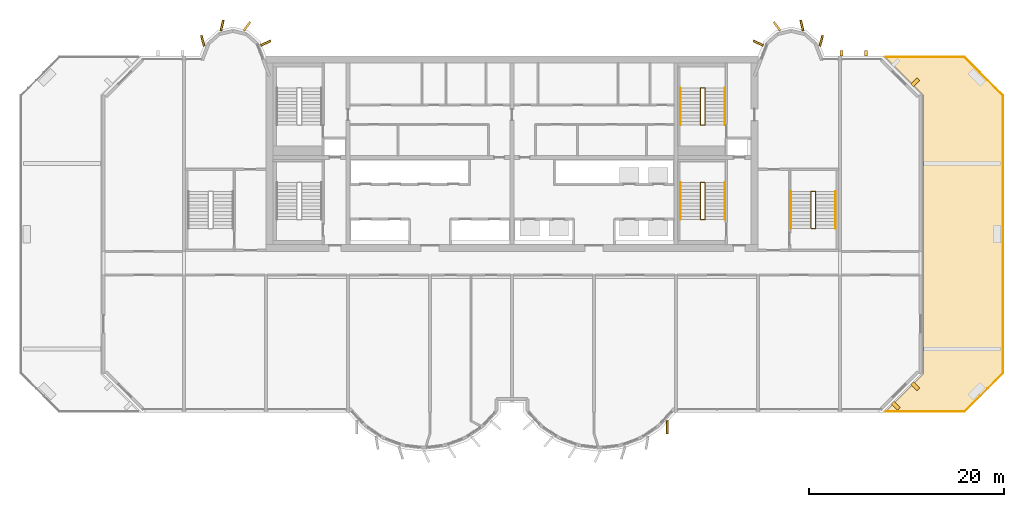
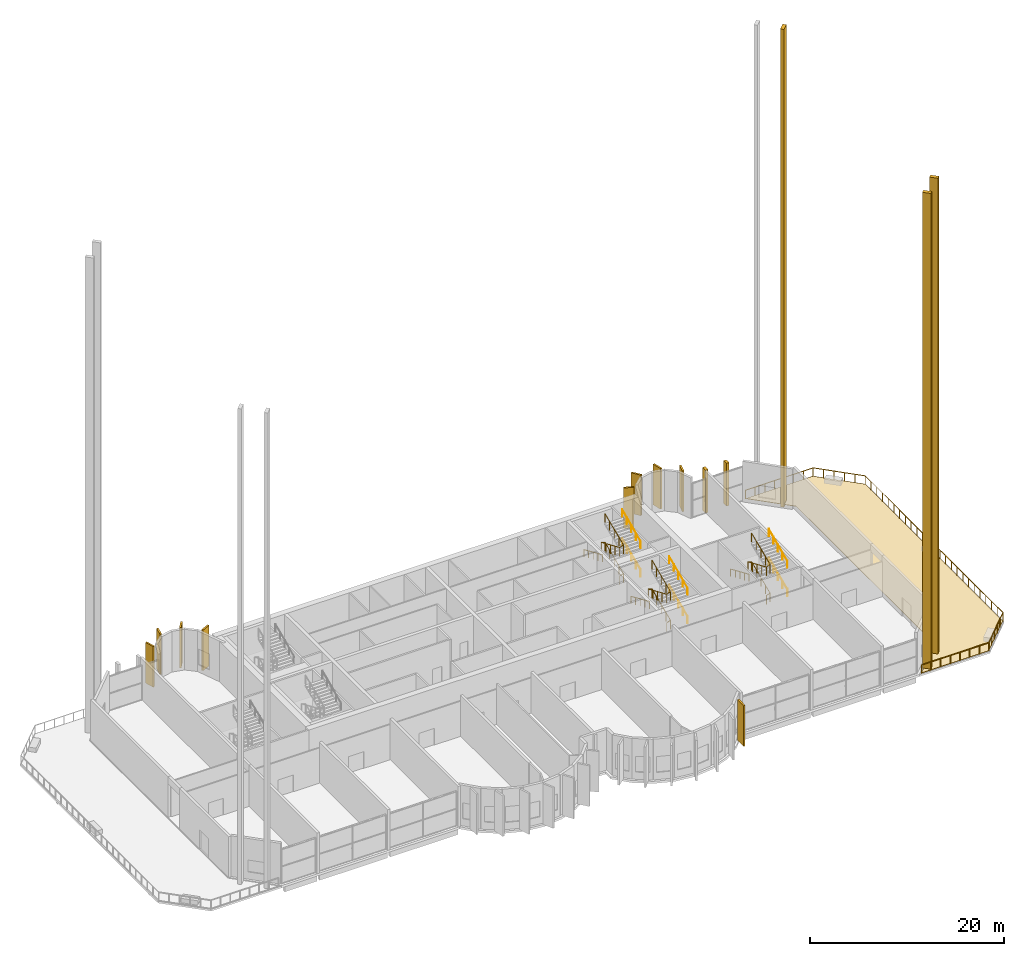
# One storey, part 17 of 19: 15 coverings, 13 railings.
"""IFC4 building model written with IfcOpenShell, lengths in metres."""

from ifc_helpers import new_model, si_unit, direction, frame, origin, origin_2d, place, context, subcontext, project, spatial, polyline, rectangle, circle, outline, extrude, source, transform, mapped, material, layer, layer_set, material_profile, profile_set, type_object, element, save


model = new_model("IFC4")

# Units and contexts
model_context = context("Model", 3, precision=1e-05, world=origin(), true_north=direction((0.0, 1.0)))
body_context = subcontext(model_context, "Body", "Model", "MODEL_VIEW")
ifc_project = project(units=[si_unit("LENGTHUNIT", "METRE"), si_unit("AREAUNIT", "SQUARE_METRE"), si_unit("VOLUMEUNIT", "CUBIC_METRE"), si_unit("PLANEANGLEUNIT", "RADIAN"), si_unit("MASSUNIT", "GRAM", prefix="KILO")], contexts=[model_context])

# Site, building, storey
site_placement = place(None, origin())
site = spatial("IfcSite", under=ifc_project, at=site_placement, CompositionType="ELEMENT")
building_placement = place(site_placement, origin())
building = spatial("IfcBuilding", under=site, at=building_placement, Name="Vanashikhar Sky Hotel", CompositionType="ELEMENT")
storey_placement = place(building_placement, frame((0.0, 0.0, 146.199951171875)))
storey = spatial("IfcBuildingStorey", under=building, at=storey_placement, Name="L35", CompositionType="ELEMENT", Elevation=146.199951171875)

# Coverings
ifc_material_1 = material(Name="Concrete M60 dark", Category="concrete")
ifc_material_profile_1 = material_profile(ifc_material_1, rectangle(XDim=1.10009765625, YDim=0.199951171875, at=origin_2d()))
ifc_profile_set_1 = profile_set([ifc_material_profile_1], Name="Rear lobe fin 1100 x 200")
covering_type_1 = type_object("IfcCoveringType", Name="Rear lobe fin 1100 x 200", PredefinedType="CLADDING", material=ifc_profile_set_1)
shared_shape_1 = source(origin(), body_context, "Body", "SweptSolid", [
    extrude(rectangle(XDim=1.10009765625, YDim=0.199951171875, at=origin_2d()), origin(), (0.0, 0.0, 1.0), 5.1201171875),
])
for number, where, z_axis, x_axis, name in (
    (1, (18.720703125, 43.580078125, 0.0), (0.0, 0.0, 1.0), (-0.262711264409, 0.964874495234, 0.0), "Fin R1-1"),
    (2, (20.710205078125, 45.1455078125, 0.0), (0.0, 0.0, 1.0), (0.224644935864, 0.974440687159, 0.0), "Fin R1-2"),
    (3, (23.261962890625, 45.06640625, 0.0), (0.0, 0.0, 1.0), (0.602065892195, 0.798446404874, 0.0), "Fin R1-3"),
    (4, (25.169677734375, 43.33447265625, 0.0), (0.0, 0.0, 1.0), (0.908004291068, 0.418960866193, 0.0), "Fin R1-4"),
    (5, (75.63037109375, 43.33447265625, 0.0), (0.0, 0.0, 1.0), (-0.908004291068, 0.418960866193, 0.0), "Fin R2-1"),
    (6, (77.5380859375, 45.06640625, 0.0), (0.0, 0.0, 1.0), (-0.602065892195, 0.798446404874, 0.0), "Fin R2-2"),
    (7, (80.08984375, 45.1455078125, 0.0), (0.0, 0.0, 1.0), (-0.224644935864, 0.974440687159, 0.0), "Fin R2-3"),
    (8, (82.0791015625, 43.580078125, 0.0), (0.0, 0.0, 1.0), (0.262711264409, 0.964874495234, 0.0), "Fin R2-4"),
):
    element("IfcCovering", number, at=place(storey_placement, frame(where, z_axis=z_axis, x_axis=x_axis)), inside=storey, type_object=covering_type_1, Name=name, PredefinedType="CLADDING", context=body_context, shape_type="MappedRepresentation", body=[
        mapped(shared_shape_1, transform((0.0, 0.0, 0.0), scale=1.0)),
    ])
ifc_material_profile_2 = material_profile(ifc_material_1, rectangle(XDim=1.300048828125, YDim=0.199951171875, at=origin_2d()))
ifc_profile_set_2 = profile_set([ifc_material_profile_2], Name="Fin 1300 x 200")
covering_type_2 = type_object("IfcCoveringType", Name="Fin 1300 x 200", PredefinedType="CLADDING", material=ifc_profile_set_2)
shared_shape_2 = source(origin(), body_context, "Body", "SweptSolid", [
    extrude(rectangle(XDim=1.300048828125, YDim=0.199951171875, at=origin_2d()), origin(), (0.0, 0.0, 1.0), 5.1201171875),
])
covering_1_placement = place(storey_placement, frame((66.317626953125, 3.992919921875, 0.0), z_axis=(0.0, 0.0, 1.0), x_axis=(-0.011588726826, -0.999932848451, 0.0)))
element("IfcCovering", 9, at=covering_1_placement, inside=storey, type_object=covering_type_2, Name="Fin F2-7", PredefinedType="CLADDING", context=body_context, shape_type="MappedRepresentation", body=[
    mapped(shared_shape_2, transform((0.0, 0.0, 0.0), scale=1.0)),
])

# Railing
ifc_material_2 = material(Name="Stainless steel 316", Category="steel")
railing_type_1 = type_object("IfcRailingType", Name="Terrace guard 1100", PredefinedType="GUARDRAIL", material=ifc_material_2)
shared_shape_3 = source(origin(), body_context, "Body", "SweptSolid", [
    extrude(circle(Radius=0.02392578125, at=origin_2d()), frame((0.0, 0.0, 1.076171875), z_axis=(1.0, 0.0, 0.0), x_axis=(0.0, 1.0, 0.0)), (0.0, 0.0, 1.0), 8.0576171875),
    extrude(circle(Radius=0.02392578125, at=origin_2d()), frame((8.0576171875, 0.0, 1.076171875), z_axis=(0.707106781187, -0.707106781187, 0.0), x_axis=(0.707106781187, 0.707106781187, 0.0)), (0.0, 0.0, 1.0), 5.572509765625),
    extrude(circle(Radius=0.02392578125, at=origin_2d()), frame((11.998046875, -3.9404296875, 1.076171875), z_axis=(0.0, -1.0, 0.0), x_axis=(1.0, 0.0, 0.0)), (0.0, 0.0, 1.0), 28.4150390625),
    extrude(circle(Radius=0.02392578125, at=origin_2d()), frame((11.998046875, -32.35546875, 1.076171875), z_axis=(-0.707106781187, -0.707106781187, 0.0), x_axis=(0.707106781187, -0.707106781187, 0.0)), (0.0, 0.0, 1.0), 5.572509765625),
    extrude(circle(Radius=0.02392578125, at=origin_2d()), frame((8.0576171875, -36.2958984375, 1.076171875), z_axis=(-1.0, 0.0, 0.0), x_axis=(0.0, -1.0, 0.0)), (0.0, 0.0, 1.0), 8.0576171875),
    extrude(circle(Radius=0.02099609375, at=origin_2d()), origin(), (0.0, 0.0, 1.0), 1.052001953125),
    extrude(circle(Radius=0.02099609375, at=origin_2d()), frame((1.151123046875, 0.0, 0.0)), (0.0, 0.0, 1.0), 1.052001953125),
    extrude(circle(Radius=0.02099609375, at=origin_2d()), frame((2.30224609375, 0.0, 0.0)), (0.0, 0.0, 1.0), 1.052001953125),
    extrude(circle(Radius=0.02099609375, at=origin_2d()), frame((3.453369140625, 0.0, 0.0)), (0.0, 0.0, 1.0), 1.052001953125),
    extrude(circle(Radius=0.02099609375, at=origin_2d()), frame((4.604248046875, 0.0, 0.0)), (0.0, 0.0, 1.0), 1.052001953125),
    extrude(circle(Radius=0.02099609375, at=origin_2d()), frame((5.75537109375, 0.0, 0.0)), (0.0, 0.0, 1.0), 1.052001953125),
    extrude(circle(Radius=0.02099609375, at=origin_2d()), frame((6.906494140625, 0.0, 0.0)), (0.0, 0.0, 1.0), 1.052001953125),
    extrude(circle(Radius=0.02099609375, at=origin_2d()), frame((8.0576171875, 0.0, 0.0)), (0.0, 0.0, 1.0), 1.052001953125),
    extrude(circle(Radius=0.02099609375, at=origin_2d()), frame((8.845703125, -0.7880859375, 0.0)), (0.0, 0.0, 1.0), 1.052001953125),
    extrude(circle(Radius=0.02099609375, at=origin_2d()), frame((9.6337890625, -1.576171875, 0.0)), (0.0, 0.0, 1.0), 1.052001953125),
    extrude(circle(Radius=0.02099609375, at=origin_2d()), frame((10.421875, -2.3642578125, 0.0)), (0.0, 0.0, 1.0), 1.052001953125),
    extrude(circle(Radius=0.02099609375, at=origin_2d()), frame((11.2099609375, -3.15234375, 0.0)), (0.0, 0.0, 1.0), 1.052001953125),
    extrude(circle(Radius=0.02099609375, at=origin_2d()), frame((11.998046875, -3.9404296875, 0.0)), (0.0, 0.0, 1.0), 1.052001953125),
    extrude(circle(Radius=0.02099609375, at=origin_2d()), frame((11.998046875, -5.12451171875, 0.0)), (0.0, 0.0, 1.0), 1.052001953125),
    extrude(circle(Radius=0.02099609375, at=origin_2d()), frame((11.998046875, -6.308349609375, 0.0)), (0.0, 0.0, 1.0), 1.052001953125),
    extrude(circle(Radius=0.02099609375, at=origin_2d()), frame((11.998046875, -7.4921875, 0.0)), (0.0, 0.0, 1.0), 1.052001953125),
    extrude(circle(Radius=0.02099609375, at=origin_2d()), frame((11.998046875, -8.67626953125, 0.0)), (0.0, 0.0, 1.0), 1.052001953125),
    extrude(circle(Radius=0.02099609375, at=origin_2d()), frame((11.998046875, -9.8603515625, 0.0)), (0.0, 0.0, 1.0), 1.052001953125),
    extrude(circle(Radius=0.02099609375, at=origin_2d()), frame((11.998046875, -11.044189453125, 0.0)), (0.0, 0.0, 1.0), 1.052001953125),
    extrude(circle(Radius=0.02099609375, at=origin_2d()), frame((11.998046875, -12.22802734375, 0.0)), (0.0, 0.0, 1.0), 1.052001953125),
    extrude(circle(Radius=0.02099609375, at=origin_2d()), frame((11.998046875, -13.412109375, 0.0)), (0.0, 0.0, 1.0), 1.052001953125),
    extrude(circle(Radius=0.02099609375, at=origin_2d()), frame((11.998046875, -14.59619140625, 0.0)), (0.0, 0.0, 1.0), 1.052001953125),
    extrude(circle(Radius=0.02099609375, at=origin_2d()), frame((11.998046875, -15.780029296875, 0.0)), (0.0, 0.0, 1.0), 1.052001953125),
    extrude(circle(Radius=0.02099609375, at=origin_2d()), frame((11.998046875, -16.9638671875, 0.0)), (0.0, 0.0, 1.0), 1.052001953125),
    extrude(circle(Radius=0.02099609375, at=origin_2d()), frame((11.998046875, -18.14794921875, 0.0)), (0.0, 0.0, 1.0), 1.052001953125),
    extrude(circle(Radius=0.02099609375, at=origin_2d()), frame((11.998046875, -19.33203125, 0.0)), (0.0, 0.0, 1.0), 1.052001953125),
    extrude(circle(Radius=0.02099609375, at=origin_2d()), frame((11.998046875, -20.515869140625, 0.0)), (0.0, 0.0, 1.0), 1.052001953125),
    extrude(circle(Radius=0.02099609375, at=origin_2d()), frame((11.998046875, -21.69970703125, 0.0)), (0.0, 0.0, 1.0), 1.052001953125),
    extrude(circle(Radius=0.02099609375, at=origin_2d()), frame((11.998046875, -22.8837890625, 0.0)), (0.0, 0.0, 1.0), 1.052001953125),
    extrude(circle(Radius=0.02099609375, at=origin_2d()), frame((11.998046875, -24.06787109375, 0.0)), (0.0, 0.0, 1.0), 1.052001953125),
    extrude(circle(Radius=0.02099609375, at=origin_2d()), frame((11.998046875, -25.251708984375, 0.0)), (0.0, 0.0, 1.0), 1.052001953125),
    extrude(circle(Radius=0.02099609375, at=origin_2d()), frame((11.998046875, -26.435546875, 0.0)), (0.0, 0.0, 1.0), 1.052001953125),
    extrude(circle(Radius=0.02099609375, at=origin_2d()), frame((11.998046875, -27.61962890625, 0.0)), (0.0, 0.0, 1.0), 1.052001953125),
    extrude(circle(Radius=0.02099609375, at=origin_2d()), frame((11.998046875, -28.8037109375, 0.0)), (0.0, 0.0, 1.0), 1.052001953125),
    extrude(circle(Radius=0.02099609375, at=origin_2d()), frame((11.998046875, -29.987548828125, 0.0)), (0.0, 0.0, 1.0), 1.052001953125),
    extrude(circle(Radius=0.02099609375, at=origin_2d()), frame((11.998046875, -31.17138671875, 0.0)), (0.0, 0.0, 1.0), 1.052001953125),
    extrude(circle(Radius=0.02099609375, at=origin_2d()), frame((11.998046875, -32.35546875, 0.0)), (0.0, 0.0, 1.0), 1.052001953125),
    extrude(circle(Radius=0.02099609375, at=origin_2d()), frame((11.2099609375, -33.1435546875, 0.0)), (0.0, 0.0, 1.0), 1.052001953125),
    extrude(circle(Radius=0.02099609375, at=origin_2d()), frame((10.421875, -33.931640625, 0.0)), (0.0, 0.0, 1.0), 1.052001953125),
    extrude(circle(Radius=0.02099609375, at=origin_2d()), frame((9.6337890625, -34.7197265625, 0.0)), (0.0, 0.0, 1.0), 1.052001953125),
    extrude(circle(Radius=0.02099609375, at=origin_2d()), frame((8.845703125, -35.5078125, 0.0)), (0.0, 0.0, 1.0), 1.052001953125),
    extrude(circle(Radius=0.02099609375, at=origin_2d()), frame((8.0576171875, -36.2958984375, 0.0)), (0.0, 0.0, 1.0), 1.052001953125),
    extrude(circle(Radius=0.02099609375, at=origin_2d()), frame((6.906494140625, -36.2958984375, 0.0)), (0.0, 0.0, 1.0), 1.052001953125),
    extrude(circle(Radius=0.02099609375, at=origin_2d()), frame((5.75537109375, -36.2958984375, 0.0)), (0.0, 0.0, 1.0), 1.052001953125),
    extrude(circle(Radius=0.02099609375, at=origin_2d()), frame((4.604248046875, -36.2958984375, 0.0)), (0.0, 0.0, 1.0), 1.052001953125),
    extrude(circle(Radius=0.02099609375, at=origin_2d()), frame((3.453369140625, -36.2958984375, 0.0)), (0.0, 0.0, 1.0), 1.052001953125),
    extrude(circle(Radius=0.02099609375, at=origin_2d()), frame((2.30224609375, -36.2958984375, 0.0)), (0.0, 0.0, 1.0), 1.052001953125),
    extrude(circle(Radius=0.02099609375, at=origin_2d()), frame((1.151123046875, -36.2958984375, 0.0)), (0.0, 0.0, 1.0), 1.052001953125),
    extrude(circle(Radius=0.02099609375, at=origin_2d()), frame((0.0, -36.2958984375, 0.0)), (0.0, 0.0, 1.0), 1.052001953125),
])
railing_1_placement = place(storey_placement, frame((88.699951171875, 41.89794921875, -0.050048828125)))
element("IfcRailing", 10, at=railing_1_placement, inside=storey, type_object=railing_type_1, Name="Terrace guard", PredefinedType="GUARDRAIL", context=body_context, shape_type="MappedRepresentation", body=[
    mapped(shared_shape_3, transform((0.0, 0.0, 0.0), scale=1.0)),
])

# Coverings
ifc_material_profile_3 = material_profile(ifc_material_1, rectangle(XDim=0.60009765625, YDim=0.300048828125, at=origin_2d()))
ifc_profile_set_3 = profile_set([ifc_material_profile_3], Name="Rear rib 600 x 300")
covering_type_3 = type_object("IfcCoveringType", Name="Rear rib 600 x 300", PredefinedType="CLADDING", material=ifc_profile_set_3)
shared_shape_4 = source(origin(), body_context, "Body", "SweptSolid", [
    extrude(rectangle(XDim=0.60009765625, YDim=0.300048828125, at=origin_2d()), origin(), (0.0, 0.0, 1.0), 5.400146484375),
])
for number, where, z_axis, x_axis, name in (
    (11, (84.14990234375, 42.300048828125, -0.280029296875), (0.0, 0.0, 1.0), (0.0, 1.0, 0.0), "Rear rib"),
    (12, (86.64990234375, 42.300048828125, -0.280029296875), (0.0, 0.0, 1.0), (0.0, 1.0, 0.0), "Rear rib"),
):
    element("IfcCovering", number, at=place(storey_placement, frame(where, z_axis=z_axis, x_axis=x_axis)), inside=storey, type_object=covering_type_3, Name=name, PredefinedType="CLADDING", context=body_context, shape_type="MappedRepresentation", body=[
        mapped(shared_shape_4, transform((0.0, 0.0, 0.0), scale=1.0)),
    ])
ifc_material_profile_4 = material_profile(ifc_material_1, rectangle(XDim=0.89990234375, YDim=0.39990234375, at=origin_2d()))
ifc_profile_set_4 = profile_set([ifc_material_profile_4], Name="Chamfer fin 900 x 400")
covering_type_4 = type_object("IfcCoveringType", Name="Chamfer fin 900 x 400", PredefinedType="CLADDING", material=ifc_profile_set_4)
shared_shape_5 = source(origin(), body_context, "Body", "SweptSolid", [
    extrude(rectangle(XDim=0.89990234375, YDim=0.39990234375, at=origin_2d()), origin(), (0.0, 0.0, 1.0), 60.2001953125),
])
for number, where, z_axis, x_axis, name in (
    (13, (89.71826171875, 6.181884765625, -0.280029296875), (0.0, 0.0, 1.0), (0.707106781187, -0.707106781187, 0.0), "Chamfer fin"),
    (14, (91.71826171875, 8.181884765625, -0.280029296875), (0.0, 0.0, 1.0), (0.707106781187, -0.707106781187, 0.0), "Chamfer fin"),
    (15, (91.71826171875, 39.318115234375, -0.280029296875), (0.0, 0.0, 1.0), (0.707106781187, 0.707106781187, 0.0), "Chamfer fin"),
):
    element("IfcCovering", number, at=place(storey_placement, frame(where, z_axis=z_axis, x_axis=x_axis)), inside=storey, type_object=covering_type_4, Name=name, PredefinedType="CLADDING", context=body_context, shape_type="MappedRepresentation", body=[
        mapped(shared_shape_5, transform((0.0, 0.0, 0.0), scale=1.0)),
    ])
ifc_material_3 = material(Name="Paving stone", Category="masonry")
ifc_layer = layer(ifc_material_3, 0.050048828125)
ifc_layer_set = layer_set([ifc_layer], Name="Paving stone 50")
covering_type_5 = type_object("IfcCoveringType", Name="Paving stone 50", PredefinedType="FLOORING", material=ifc_layer_set)
shared_shape_6 = source(origin(), body_context, "Body", "SweptSolid", [
    extrude(outline(polyline([(88.694580078125, 41.8779296875), (96.749267578125, 41.8779296875), (100.677978515625, 37.94921875), (100.677978515625, 9.55078125), (96.749267578125, 5.6220703125), (88.694580078125, 5.6220703125), (92.52197265625, 9.44921875), (92.52197265625, 38.05078125), (88.694580078125, 41.8779296875)])), origin(), (0.0, 0.0, 1.0), 0.050048828125),
])
covering_2_placement = place(storey_placement, frame((0.0, 0.0, -0.050048828125)))
element("IfcCovering", 16, at=covering_2_placement, inside=storey, type_object=covering_type_5, Name="Terrace paving", PredefinedType="FLOORING", context=body_context, shape_type="MappedRepresentation", body=[
    mapped(shared_shape_6, transform((0.0, 0.0, 0.0), scale=1.0)),
])

# Railings
ifc_material_4 = material(Name="Steel S355", Category="steel")
railing_type_2 = type_object("IfcRailingType", Name="Stair handrail 900", PredefinedType="HANDRAIL", material=ifc_material_4)
shared_shape_7 = source(origin(), body_context, "Body", "SweptSolid", [
    extrude(circle(Radius=0.02392578125, at=origin_2d()), frame((0.0, 0.0, 0.8759765625), z_axis=(0.0, -0.917250781605, 0.398310185215), x_axis=(1.0, 0.0, 0.0)), (0.0, 0.0, 1.0), 4.142822265625),
    extrude(circle(Radius=0.02099609375, at=origin_2d()), origin(), (0.0, 0.0, 1.0), 0.851806640625),
    extrude(circle(Radius=0.02099609375, at=origin_2d()), frame((0.0, -0.949951171875, 0.41259765625)), (0.0, 0.0, 1.0), 0.851806640625),
    extrude(circle(Radius=0.02099609375, at=origin_2d()), frame((0.0, -1.89990234375, 0.8251953125)), (0.0, 0.0, 1.0), 0.851806640625),
    extrude(circle(Radius=0.02099609375, at=origin_2d()), frame((0.0, -2.85009765625, 1.237548828125)), (0.0, 0.0, 1.0), 0.851806640625),
    extrude(circle(Radius=0.02099609375, at=origin_2d()), frame((0.0, -3.800048828125, 1.650146484375)), (0.0, 0.0, 1.0), 0.851806640625),
])
for number, where, name in (
    (17, (67.64990234375, 29.050048828125, 1.949951171875), "Exit stair 2 handrail"),
    (18, (67.64990234375, 38.75, 1.949951171875), "Exit stair 6 handrail"),
):
    element("IfcRailing", number, at=place(storey_placement, frame(where)), inside=storey, type_object=railing_type_2, Name=name, PredefinedType="HANDRAIL", context=body_context, shape_type="MappedRepresentation", body=[
        mapped(shared_shape_7, transform((0.0, 0.0, 0.0), scale=1.0)),
    ])
shared_shape_8 = source(origin(), body_context, "Body", "SweptSolid", [
    extrude(circle(Radius=0.02392578125, at=origin_2d()), frame((0.0, 0.0, 0.8759765625), z_axis=(0.0, 0.917250781605, 0.398310185215), x_axis=(-1.0, 0.0, 0.0)), (0.0, 0.0, 1.0), 4.142822265625),
    extrude(circle(Radius=0.02099609375, at=origin_2d()), origin(), (0.0, 0.0, 1.0), 0.851806640625),
    extrude(circle(Radius=0.02099609375, at=origin_2d()), frame((0.0, 0.949951171875, 0.41259765625)), (0.0, 0.0, 1.0), 0.851806640625),
    extrude(circle(Radius=0.02099609375, at=origin_2d()), frame((0.0, 1.89990234375, 0.8251953125)), (0.0, 0.0, 1.0), 0.851806640625),
    extrude(circle(Radius=0.02099609375, at=origin_2d()), frame((0.0, 2.85009765625, 1.237548828125)), (0.0, 0.0, 1.0), 0.851806640625),
    extrude(circle(Radius=0.02099609375, at=origin_2d()), frame((0.0, 3.800048828125, 1.650146484375)), (0.0, 0.0, 1.0), 0.851806640625),
])
for number, where, name in (
    (19, (72.199951171875, 25.25, 3.75), "Exit stair 2 handrail"),
    (20, (72.199951171875, 34.949951171875, 3.75), "Exit stair 6 handrail"),
):
    element("IfcRailing", number, at=place(storey_placement, frame(where)), inside=storey, type_object=railing_type_2, Name=name, PredefinedType="HANDRAIL", context=body_context, shape_type="MappedRepresentation", body=[
        mapped(shared_shape_8, transform((0.0, 0.0, 0.0), scale=1.0)),
    ])
shared_shape_9 = source(origin(), body_context, "Body", "SweptSolid", [
    extrude(circle(Radius=0.02392578125, at=origin_2d()), frame((0.0, 0.0, 0.8759765625), z_axis=(0.0, 0.91727231099, 0.398260602484), x_axis=(-1.0, 0.0, 0.0)), (0.0, 0.0, 1.0), 4.142822265625),
    extrude(circle(Radius=0.02099609375, at=origin_2d()), origin(), (0.0, 0.0, 1.0), 0.851806640625),
    extrude(circle(Radius=0.02099609375, at=origin_2d()), frame((0.0, 0.949951171875, 0.41259765625)), (0.0, 0.0, 1.0), 0.851806640625),
    extrude(circle(Radius=0.02099609375, at=origin_2d()), frame((0.0, 1.89990234375, 0.824951171875)), (0.0, 0.0, 1.0), 0.851806640625),
    extrude(circle(Radius=0.02099609375, at=origin_2d()), frame((0.0, 2.85009765625, 1.2373046875)), (0.0, 0.0, 1.0), 0.851806640625),
    extrude(circle(Radius=0.02099609375, at=origin_2d()), frame((0.0, 3.800048828125, 1.64990234375)), (0.0, 0.0, 1.0), 0.851806640625),
])
for number, where, name in (
    (21, (72.199951171875, 25.25, 0.150146484375), "Exit stair 2 handrail"),
    (22, (72.199951171875, 34.949951171875, 0.150146484375), "Exit stair 6 handrail"),
):
    element("IfcRailing", number, at=place(storey_placement, frame(where)), inside=storey, type_object=railing_type_2, Name=name, PredefinedType="HANDRAIL", context=body_context, shape_type="MappedRepresentation", body=[
        mapped(shared_shape_9, transform((0.0, 0.0, 0.0), scale=1.0)),
    ])
railing_type_3 = type_object("IfcRailingType", Name="Stair guard 1100", PredefinedType="GUARDRAIL", material=ifc_material_4)
shared_shape_10 = source(origin(), body_context, "Body", "SweptSolid", [
    extrude(circle(Radius=0.02392578125, at=origin_2d()), frame((0.0, 0.0, 1.076171875), z_axis=(0.948580309067, 0.0, 0.316536565424), x_axis=(0.0, 1.0, 0.0)), (0.0, 0.0, 1.0), 0.474365234375),
    extrude(circle(Radius=0.02392578125, at=origin_2d()), frame((0.449951171875, 0.0, 1.22607421875), z_axis=(0.0, 0.91727231099, 0.398260602484), x_axis=(-1.0, 0.0, 0.0)), (0.0, 0.0, 1.0), 4.142822265625),
    extrude(circle(Radius=0.02392578125, at=origin_2d()), frame((0.449951171875, 3.800048828125, 2.8759765625), z_axis=(-0.948734763221, 0.0, 0.316073328604), x_axis=(0.0, -1.0, 0.0)), (0.0, 0.0, 1.0), 0.474365234375),
    extrude(circle(Radius=0.02392578125, at=origin_2d()), frame((0.0, 3.800048828125, 3.02587890625), z_axis=(0.0, -0.917250781605, 0.398310185215), x_axis=(1.0, 0.0, 0.0)), (0.0, 0.0, 1.0), 4.142822265625),
    extrude(circle(Radius=0.02392578125, at=origin_2d()), frame((0.0, 0.0, 4.67626953125), z_axis=(0.948734763221, 0.0, 0.316073328604), x_axis=(0.0, 1.0, 0.0)), (0.0, 0.0, 1.0), 0.474365234375),
    extrude(circle(Radius=0.02392578125, at=origin_2d()), frame((0.449951171875, 0.0, 4.826171875), z_axis=(0.0, 0.917250781605, 0.398310185215), x_axis=(-1.0, 0.0, 0.0)), (0.0, 0.0, 1.0), 4.142822265625),
    extrude(circle(Radius=0.02099609375, at=origin_2d()), origin(), (0.0, 0.0, 1.0), 1.052001953125),
    extrude(circle(Radius=0.02099609375, at=origin_2d()), frame((0.449951171875, 0.0, 0.150146484375)), (0.0, 0.0, 1.0), 1.052001953125),
    extrude(circle(Radius=0.02099609375, at=origin_2d()), frame((0.449951171875, 0.949951171875, 0.5625)), (0.0, 0.0, 1.0), 1.052001953125),
    extrude(circle(Radius=0.02099609375, at=origin_2d()), frame((0.449951171875, 1.89990234375, 0.97509765625)), (0.0, 0.0, 1.0), 1.052001953125),
    extrude(circle(Radius=0.02099609375, at=origin_2d()), frame((0.449951171875, 2.85009765625, 1.3876953125)), (0.0, 0.0, 1.0), 1.052001953125),
    extrude(circle(Radius=0.02099609375, at=origin_2d()), frame((0.449951171875, 3.800048828125, 1.800048828125)), (0.0, 0.0, 1.0), 1.052001953125),
    extrude(circle(Radius=0.02099609375, at=origin_2d()), frame((0.0, 3.800048828125, 1.949951171875)), (0.0, 0.0, 1.0), 1.052001953125),
    extrude(circle(Radius=0.02099609375, at=origin_2d()), frame((0.0, 2.85009765625, 2.362548828125)), (0.0, 0.0, 1.0), 1.052001953125),
    extrude(circle(Radius=0.02099609375, at=origin_2d()), frame((0.0, 1.89990234375, 2.77490234375)), (0.0, 0.0, 1.0), 1.052001953125),
    extrude(circle(Radius=0.02099609375, at=origin_2d()), frame((0.0, 0.949951171875, 3.1875)), (0.0, 0.0, 1.0), 1.052001953125),
    extrude(circle(Radius=0.02099609375, at=origin_2d()), frame((0.0, 0.0, 3.60009765625)), (0.0, 0.0, 1.0), 1.052001953125),
    extrude(circle(Radius=0.02099609375, at=origin_2d()), frame((0.449951171875, 0.0, 3.75)), (0.0, 0.0, 1.0), 1.052001953125),
    extrude(circle(Radius=0.02099609375, at=origin_2d()), frame((0.449951171875, 0.949951171875, 4.16259765625)), (0.0, 0.0, 1.0), 1.052001953125),
    extrude(circle(Radius=0.02099609375, at=origin_2d()), frame((0.449951171875, 1.89990234375, 4.5751953125)), (0.0, 0.0, 1.0), 1.052001953125),
    extrude(circle(Radius=0.02099609375, at=origin_2d()), frame((0.449951171875, 2.85009765625, 4.987548828125)), (0.0, 0.0, 1.0), 1.052001953125),
    extrude(circle(Radius=0.02099609375, at=origin_2d()), frame((0.449951171875, 3.800048828125, 5.400146484375)), (0.0, 0.0, 1.0), 1.052001953125),
])
for number, where, name in (
    (23, (69.699951171875, 25.25, 0.0), "Exit stair 2 guard"),
    (24, (69.699951171875, 34.949951171875, 0.0), "Exit stair 6 guard"),
):
    element("IfcRailing", number, at=place(storey_placement, frame(where)), inside=storey, type_object=railing_type_3, Name=name, PredefinedType="GUARDRAIL", context=body_context, shape_type="MappedRepresentation", body=[
        mapped(shared_shape_10, transform((0.0, 0.0, 0.0), scale=1.0)),
    ])
shared_shape_11 = source(origin(), body_context, "Body", "SweptSolid", [
    extrude(circle(Radius=0.02392578125, at=origin_2d()), frame((0.0, 0.0, 0.8759765625), z_axis=(0.0, -0.917241431489, 0.398331716489), x_axis=(1.0, 0.0, 0.0)), (0.0, 0.0, 1.0), 4.142578125),
    extrude(circle(Radius=0.02099609375, at=origin_2d()), origin(), (0.0, 0.0, 1.0), 0.851806640625),
    extrude(circle(Radius=0.02099609375, at=origin_2d()), frame((0.0, -0.949951171875, 0.41259765625)), (0.0, 0.0, 1.0), 0.851806640625),
    extrude(circle(Radius=0.02099609375, at=origin_2d()), frame((0.0, -1.89990234375, 0.8251953125)), (0.0, 0.0, 1.0), 0.851806640625),
    extrude(circle(Radius=0.02099609375, at=origin_2d()), frame((0.0, -2.849853515625, 1.237548828125)), (0.0, 0.0, 1.0), 0.851806640625),
    extrude(circle(Radius=0.02099609375, at=origin_2d()), frame((0.0, -3.7998046875, 1.650146484375)), (0.0, 0.0, 1.0), 0.851806640625),
])
railing_2_placement = place(storey_placement, frame((79.0, 28.14990234375, 1.949951171875)))
element("IfcRailing", 25, at=railing_2_placement, inside=storey, type_object=railing_type_2, Name="Exit stair 4 handrail", PredefinedType="HANDRAIL", context=body_context, shape_type="MappedRepresentation", body=[
    mapped(shared_shape_11, transform((0.0, 0.0, 0.0), scale=1.0)),
])
shared_shape_12 = source(origin(), body_context, "Body", "SweptSolid", [
    extrude(circle(Radius=0.02392578125, at=origin_2d()), frame((0.0, 0.0, 0.8759765625), z_axis=(0.0, 0.917241431489, 0.398331716489), x_axis=(-1.0, 0.0, 0.0)), (0.0, 0.0, 1.0), 4.142578125),
    extrude(circle(Radius=0.02099609375, at=origin_2d()), origin(), (0.0, 0.0, 1.0), 0.851806640625),
    extrude(circle(Radius=0.02099609375, at=origin_2d()), frame((0.0, 0.949951171875, 0.41259765625)), (0.0, 0.0, 1.0), 0.851806640625),
    extrude(circle(Radius=0.02099609375, at=origin_2d()), frame((0.0, 1.89990234375, 0.8251953125)), (0.0, 0.0, 1.0), 0.851806640625),
    extrude(circle(Radius=0.02099609375, at=origin_2d()), frame((0.0, 2.849853515625, 1.237548828125)), (0.0, 0.0, 1.0), 0.851806640625),
    extrude(circle(Radius=0.02099609375, at=origin_2d()), frame((0.0, 3.7998046875, 1.650146484375)), (0.0, 0.0, 1.0), 0.851806640625),
])
railing_3_placement = place(storey_placement, frame((83.550048828125, 24.35009765625, 3.75)))
element("IfcRailing", 26, at=railing_3_placement, inside=storey, type_object=railing_type_2, Name="Exit stair 4 handrail", PredefinedType="HANDRAIL", context=body_context, shape_type="MappedRepresentation", body=[
    mapped(shared_shape_12, transform((0.0, 0.0, 0.0), scale=1.0)),
])
shared_shape_13 = source(origin(), body_context, "Body", "SweptSolid", [
    extrude(circle(Radius=0.02392578125, at=origin_2d()), frame((0.0, 0.0, 0.8759765625), z_axis=(0.0, 0.917262962982, 0.398282132089), x_axis=(-1.0, 0.0, 0.0)), (0.0, 0.0, 1.0), 4.142578125),
    extrude(circle(Radius=0.02099609375, at=origin_2d()), origin(), (0.0, 0.0, 1.0), 0.851806640625),
    extrude(circle(Radius=0.02099609375, at=origin_2d()), frame((0.0, 0.949951171875, 0.41259765625)), (0.0, 0.0, 1.0), 0.851806640625),
    extrude(circle(Radius=0.02099609375, at=origin_2d()), frame((0.0, 1.89990234375, 0.824951171875)), (0.0, 0.0, 1.0), 0.851806640625),
    extrude(circle(Radius=0.02099609375, at=origin_2d()), frame((0.0, 2.849853515625, 1.2373046875)), (0.0, 0.0, 1.0), 0.851806640625),
    extrude(circle(Radius=0.02099609375, at=origin_2d()), frame((0.0, 3.7998046875, 1.64990234375)), (0.0, 0.0, 1.0), 0.851806640625),
])
railing_4_placement = place(storey_placement, frame((83.550048828125, 24.35009765625, 0.150146484375)))
element("IfcRailing", 27, at=railing_4_placement, inside=storey, type_object=railing_type_2, Name="Exit stair 4 handrail", PredefinedType="HANDRAIL", context=body_context, shape_type="MappedRepresentation", body=[
    mapped(shared_shape_13, transform((0.0, 0.0, 0.0), scale=1.0)),
])
shared_shape_14 = source(origin(), body_context, "Body", "SweptSolid", [
    extrude(circle(Radius=0.02392578125, at=origin_2d()), frame((0.0, 0.0, 1.076171875), z_axis=(0.948580309067, 0.0, 0.316536565424), x_axis=(0.0, 1.0, 0.0)), (0.0, 0.0, 1.0), 0.474365234375),
    extrude(circle(Radius=0.02392578125, at=origin_2d()), frame((0.449951171875, 0.0, 1.22607421875), z_axis=(0.0, 0.917262962982, 0.398282132089), x_axis=(-1.0, 0.0, 0.0)), (0.0, 0.0, 1.0), 4.142578125),
    extrude(circle(Radius=0.02392578125, at=origin_2d()), frame((0.449951171875, 3.7998046875, 2.8759765625), z_axis=(-0.948734763221, 0.0, 0.316073328604), x_axis=(0.0, -1.0, 0.0)), (0.0, 0.0, 1.0), 0.474365234375),
    extrude(circle(Radius=0.02392578125, at=origin_2d()), frame((0.0, 3.7998046875, 3.02587890625), z_axis=(0.0, -0.917241431489, 0.398331716489), x_axis=(1.0, 0.0, 0.0)), (0.0, 0.0, 1.0), 4.142578125),
    extrude(circle(Radius=0.02392578125, at=origin_2d()), frame((0.0, 0.0, 4.67626953125), z_axis=(0.948734763221, 0.0, 0.316073328604), x_axis=(0.0, 1.0, 0.0)), (0.0, 0.0, 1.0), 0.474365234375),
    extrude(circle(Radius=0.02392578125, at=origin_2d()), frame((0.449951171875, 0.0, 4.826171875), z_axis=(0.0, 0.917241431489, 0.398331716489), x_axis=(-1.0, 0.0, 0.0)), (0.0, 0.0, 1.0), 4.142578125),
    extrude(circle(Radius=0.02099609375, at=origin_2d()), origin(), (0.0, 0.0, 1.0), 1.052001953125),
    extrude(circle(Radius=0.02099609375, at=origin_2d()), frame((0.449951171875, 0.0, 0.150146484375)), (0.0, 0.0, 1.0), 1.052001953125),
    extrude(circle(Radius=0.02099609375, at=origin_2d()), frame((0.449951171875, 0.949951171875, 0.5625)), (0.0, 0.0, 1.0), 1.052001953125),
    extrude(circle(Radius=0.02099609375, at=origin_2d()), frame((0.449951171875, 1.89990234375, 0.97509765625)), (0.0, 0.0, 1.0), 1.052001953125),
    extrude(circle(Radius=0.02099609375, at=origin_2d()), frame((0.449951171875, 2.849853515625, 1.3876953125)), (0.0, 0.0, 1.0), 1.052001953125),
    extrude(circle(Radius=0.02099609375, at=origin_2d()), frame((0.449951171875, 3.7998046875, 1.800048828125)), (0.0, 0.0, 1.0), 1.052001953125),
    extrude(circle(Radius=0.02099609375, at=origin_2d()), frame((0.0, 3.7998046875, 1.949951171875)), (0.0, 0.0, 1.0), 1.052001953125),
    extrude(circle(Radius=0.02099609375, at=origin_2d()), frame((0.0, 2.849853515625, 2.362548828125)), (0.0, 0.0, 1.0), 1.052001953125),
    extrude(circle(Radius=0.02099609375, at=origin_2d()), frame((0.0, 1.89990234375, 2.77490234375)), (0.0, 0.0, 1.0), 1.052001953125),
    extrude(circle(Radius=0.02099609375, at=origin_2d()), frame((0.0, 0.949951171875, 3.1875)), (0.0, 0.0, 1.0), 1.052001953125),
    extrude(circle(Radius=0.02099609375, at=origin_2d()), frame((0.0, 0.0, 3.60009765625)), (0.0, 0.0, 1.0), 1.052001953125),
    extrude(circle(Radius=0.02099609375, at=origin_2d()), frame((0.449951171875, 0.0, 3.75)), (0.0, 0.0, 1.0), 1.052001953125),
    extrude(circle(Radius=0.02099609375, at=origin_2d()), frame((0.449951171875, 0.949951171875, 4.16259765625)), (0.0, 0.0, 1.0), 1.052001953125),
    extrude(circle(Radius=0.02099609375, at=origin_2d()), frame((0.449951171875, 1.89990234375, 4.5751953125)), (0.0, 0.0, 1.0), 1.052001953125),
    extrude(circle(Radius=0.02099609375, at=origin_2d()), frame((0.449951171875, 2.849853515625, 4.987548828125)), (0.0, 0.0, 1.0), 1.052001953125),
    extrude(circle(Radius=0.02099609375, at=origin_2d()), frame((0.449951171875, 3.7998046875, 5.400146484375)), (0.0, 0.0, 1.0), 1.052001953125),
])
railing_5_placement = place(storey_placement, frame((81.050048828125, 24.35009765625, 0.0)))
element("IfcRailing", 28, at=railing_5_placement, inside=storey, type_object=railing_type_3, Name="Exit stair 4 guard", PredefinedType="GUARDRAIL", context=body_context, shape_type="MappedRepresentation", body=[
    mapped(shared_shape_14, transform((0.0, 0.0, 0.0), scale=1.0)),
])

save(model, "model.ifc")
